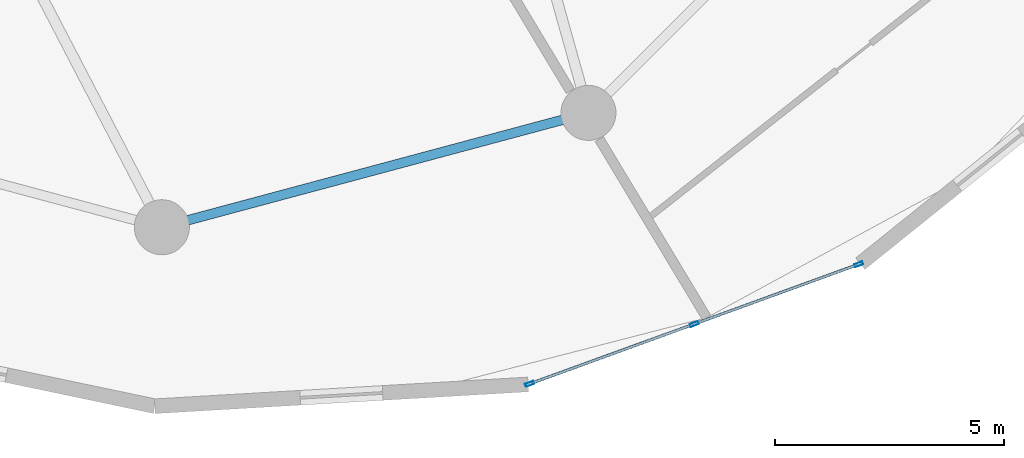
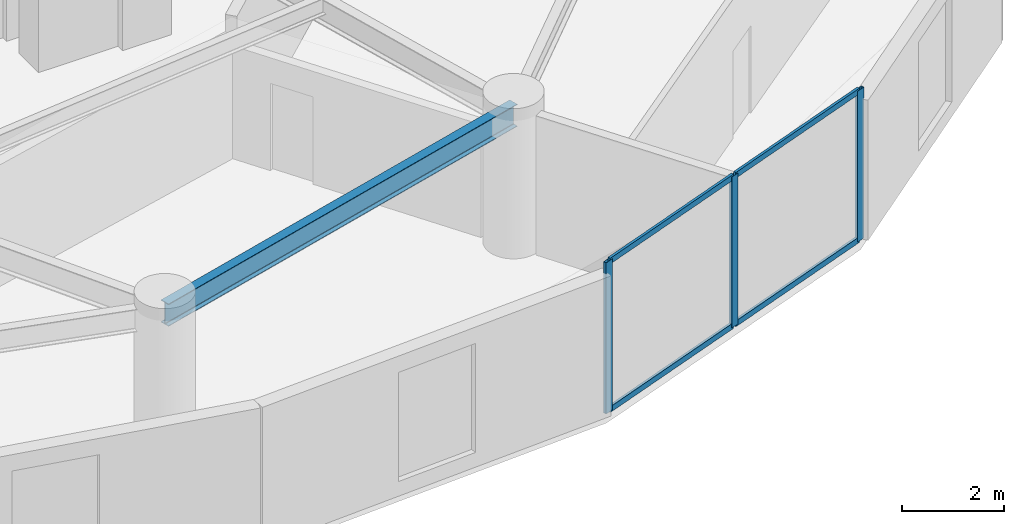
# One storey, part 10 of 26: 7 members, 1 beam, 1 element without a shape of its own.
"""IFC4 building model written with IfcOpenShell, lengths in metres."""

from ifc_helpers import new_model, si_unit, direction, frame, origin, origin_2d, place, context, subcontext, project, spatial, hollow_rectangle, i_section, extrude, source, transform, mapped, material, layer, layer_set, material_profile, profile_set, type_object, element, aggregate, save


model = new_model("IFC4")

# Units and contexts
model_context = context("Model", 3, precision=1e-05, world=origin(), true_north=direction((0.0, 1.0)))
body_context = subcontext(model_context, "Body", "Model", "MODEL_VIEW")
ifc_project = project(units=[si_unit("LENGTHUNIT", "METRE"), si_unit("AREAUNIT", "SQUARE_METRE"), si_unit("VOLUMEUNIT", "CUBIC_METRE"), si_unit("PLANEANGLEUNIT", "RADIAN"), si_unit("MASSUNIT", "GRAM", prefix="KILO")], contexts=[model_context])

# Site, building, storey
site_placement = place(None, origin())
site = spatial("IfcSite", under=ifc_project, at=site_placement, CompositionType="ELEMENT")
building_placement = place(site_placement, origin())
building = spatial("IfcBuilding", under=site, at=building_placement, Name="Solvirekh Grand Hotel", CompositionType="ELEMENT")
storey_placement = place(building_placement, frame((0.0, 0.0, 71.60009765625)))
storey = spatial("IfcBuildingStorey", under=building, at=storey_placement, Name="L17", CompositionType="ELEMENT", Elevation=71.60009765625)

# Beam
ifc_material_1 = material(Name="Steel S355", Category="steel")
ifc_material_profile_1 = material_profile(ifc_material_1, i_section(OverallWidth=0.208984375, OverallDepth=0.532958984375, WebThickness=0.010009765625, FlangeThickness=0.014892578125, FilletRadius=0.013916015625, at=origin_2d()), Name="W530X92")
ifc_profile_set_1 = profile_set([ifc_material_profile_1], Name="Steel S355")
beam_type = type_object("IfcBeamType", Name="Spandrel_Ring_W530", PredefinedType="SPANDREL", material=ifc_profile_set_1)
beam_placement = place(storey_placement, frame((0.0, -18.60009765625, 3.073974609375), z_axis=(0.965919414426, 0.258842973314, 0.0), x_axis=(-0.258842973314, 0.965919414426, 0.0)))
element("IfcBeam", 1, at=beam_placement, inside=storey, type_object=beam_type, Name="L17 perimeter spandrel beam 10", PredefinedType="SPANDREL", context=body_context, shape_type="SweptSolid", body=[
    extrude(i_section(OverallWidth=0.208984375, OverallDepth=0.532958984375, WebThickness=0.010009765625, FlangeThickness=0.014892578125, FilletRadius=0.013916015625, at=origin_2d()), origin(), (0.0, 0.0, 1.0), 9.628173828125),
])

# Curtain wall, members
ifc_material_2 = material(Name="Anodized Bronze Aluminium 6063-T6", Category="aluminium")
ifc_layer = layer(ifc_material_2, 0.18994140625)
ifc_layer_set = layer_set([ifc_layer], Name="Anodized Bronze Aluminium 6063-T6")
curtain_wall_type = type_object("IfcCurtainWallType", Name="CW_Sys2_LowZoneFlushBronzeCW", PredefinedType="NOTDEFINED", material=ifc_layer_set)
curtain_wall_placement = place(storey_placement, origin())
curtain_wall = element("IfcCurtainWall", 2, at=curtain_wall_placement, inside=storey, type_object=curtain_wall_type, Name="L17 unitised bronze-glass curtain wall CW-L17-C18", PredefinedType="NOTDEFINED")
ifc_material_profile_2 = material_profile(ifc_material_2, hollow_rectangle(XDim=0.06005859375, YDim=0.135009765625, WallThickness=0.00390625, at=origin_2d()), Name="ALU RHS 135X60X4")
ifc_profile_set_2 = profile_set([ifc_material_profile_2], Name="Anodized Bronze Aluminium 6063-T6")
member_type_1 = type_object("IfcMemberType", Name="CWTransom_Sys2", PredefinedType="USERDEFINED", material=ifc_profile_set_2)
shared_shape_1 = source(origin(), body_context, "Body", "SweptSolid", [
    extrude(hollow_rectangle(XDim=0.06005859375, YDim=0.135009765625, WallThickness=0.00390625, at=origin_2d()), origin(), (0.0, 0.0, 1.0), 3.74755859375),
])
member_1_placement = place(storey_placement, frame((11.637939453125, -20.699951171875, 0.02978515625), z_axis=(0.939859978115, 0.341559982343, 0.0), x_axis=(-0.341559982343, 0.939859978115, 0.0)))
member_1 = element("IfcMember", 3, at=member_1_placement, type_object=member_type_1, Name="U02 transom 2.1", ObjectType="TRANSOM", PredefinedType="USERDEFINED", context=body_context, shape_type="MappedRepresentation", body=[
    mapped(shared_shape_1, transform((0.0, 0.0, 0.0), x_axis=(1.0, 0.0, 0.0), y_axis=(0.0, 1.0, 0.0), z_axis=(0.0, 0.0, 1.0), scale=1.0)),
])
member_2_placement = place(storey_placement, frame((11.637939453125, -20.699951171875, 3.56982421875), z_axis=(0.939859978115, 0.341559982343, 0.0), x_axis=(-0.341559982343, 0.939859978115, 0.0)))
member_2 = element("IfcMember", 4, at=member_2_placement, type_object=member_type_1, Name="U02 transom 2.2", ObjectType="TRANSOM", PredefinedType="USERDEFINED", context=body_context, shape_type="MappedRepresentation", body=[
    mapped(shared_shape_1, transform((0.0, 0.0, 0.0), x_axis=(1.0, 0.0, 0.0), y_axis=(0.0, 1.0, 0.0), z_axis=(0.0, 0.0, 1.0), scale=1.0)),
])
ifc_material_profile_3 = material_profile(ifc_material_2, hollow_rectangle(XDim=0.070068359375, YDim=0.18994140625, WallThickness=0.0048828125, at=origin_2d()), Name="ALU RHS 190X70X5")
ifc_profile_set_3 = profile_set([ifc_material_profile_3], Name="Anodized Bronze Aluminium 6063-T6")
member_type_2 = type_object("IfcMemberType", Name="CWMullion_Sys2", PredefinedType="MULLION", material=ifc_profile_set_3)
shared_shape_2 = source(origin(), body_context, "Body", "SweptSolid", [
    extrude(hollow_rectangle(XDim=0.070068359375, YDim=0.18994140625, WallThickness=0.0048828125, at=origin_2d()), origin(), (0.0, 0.0, 1.0), 3.599853515625),
])
member_3_placement = place(storey_placement, frame((8.016845703125, -22.01611328125, 0.0), z_axis=(0.0, 0.0, 1.0), x_axis=(-0.341576335296, 0.939854035032, 0.0)))
member_3 = element("IfcMember", 5, at=member_3_placement, type_object=member_type_2, Name="U02 mullion 1", PredefinedType="MULLION", context=body_context, shape_type="MappedRepresentation", body=[
    mapped(shared_shape_2, transform((0.0, 0.0, 0.0), x_axis=(1.0, 0.0, 0.0), y_axis=(0.0, 1.0, 0.0), z_axis=(0.0, 0.0, 1.0), scale=1.0)),
])
member_4_placement = place(storey_placement, frame((11.60498046875, -20.7119140625, 0.0), z_axis=(0.0, 0.0, 1.0), x_axis=(-0.341576335296, 0.939854035032, 0.0)))
member_4 = element("IfcMember", 6, at=member_4_placement, type_object=member_type_2, Name="U02 mullion 2", PredefinedType="MULLION", context=body_context, shape_type="MappedRepresentation", body=[
    mapped(shared_shape_2, transform((0.0, 0.0, 0.0), x_axis=(1.0, 0.0, 0.0), y_axis=(0.0, 1.0, 0.0), z_axis=(0.0, 0.0, 1.0), scale=1.0)),
])
member_5_placement = place(storey_placement, frame((15.193115234375, -19.407958984375, 0.0), z_axis=(0.0, 0.0, 1.0), x_axis=(-0.341576335296, 0.939854035032, 0.0)))
member_5 = element("IfcMember", 7, at=member_5_placement, type_object=member_type_2, Name="U02 mullion 3", PredefinedType="MULLION", context=body_context, shape_type="MappedRepresentation", body=[
    mapped(shared_shape_2, transform((0.0, 0.0, 0.0), x_axis=(1.0, 0.0, 0.0), y_axis=(0.0, 1.0, 0.0), z_axis=(0.0, 0.0, 1.0), scale=1.0)),
])
shared_shape_3 = source(origin(), body_context, "Body", "SweptSolid", [
    extrude(hollow_rectangle(XDim=0.06005859375, YDim=0.135009765625, WallThickness=0.00390625, at=origin_2d()), origin(), (0.0, 0.0, 1.0), 3.747802734375),
])
member_6_placement = place(storey_placement, frame((8.0498046875, -22.004150390625, 0.02978515625), z_axis=(0.939839063774, 0.341617526196, 0.0), x_axis=(-0.341617526196, 0.939839063774, 0.0)))
member_6 = element("IfcMember", 8, at=member_6_placement, type_object=member_type_1, Name="U02 transom 1.1", ObjectType="TRANSOM", PredefinedType="USERDEFINED", context=body_context, shape_type="MappedRepresentation", body=[
    mapped(shared_shape_3, transform((0.0, 0.0, 0.0), x_axis=(1.0, 0.0, 0.0), y_axis=(0.0, 1.0, 0.0), z_axis=(0.0, 0.0, 1.0), scale=1.0)),
])
member_7_placement = place(storey_placement, frame((8.0498046875, -22.004150390625, 3.56982421875), z_axis=(0.939839063774, 0.341617526196, 0.0), x_axis=(-0.341617526196, 0.939839063774, 0.0)))
member_7 = element("IfcMember", 9, at=member_7_placement, type_object=member_type_1, Name="U02 transom 1.2", ObjectType="TRANSOM", PredefinedType="USERDEFINED", context=body_context, shape_type="MappedRepresentation", body=[
    mapped(shared_shape_3, transform((0.0, 0.0, 0.0), x_axis=(1.0, 0.0, 0.0), y_axis=(0.0, 1.0, 0.0), z_axis=(0.0, 0.0, 1.0), scale=1.0)),
])
aggregate(curtain_wall, [member_3, member_4, member_5, member_6, member_7, member_1, member_2])

save(model, "model.ifc")
